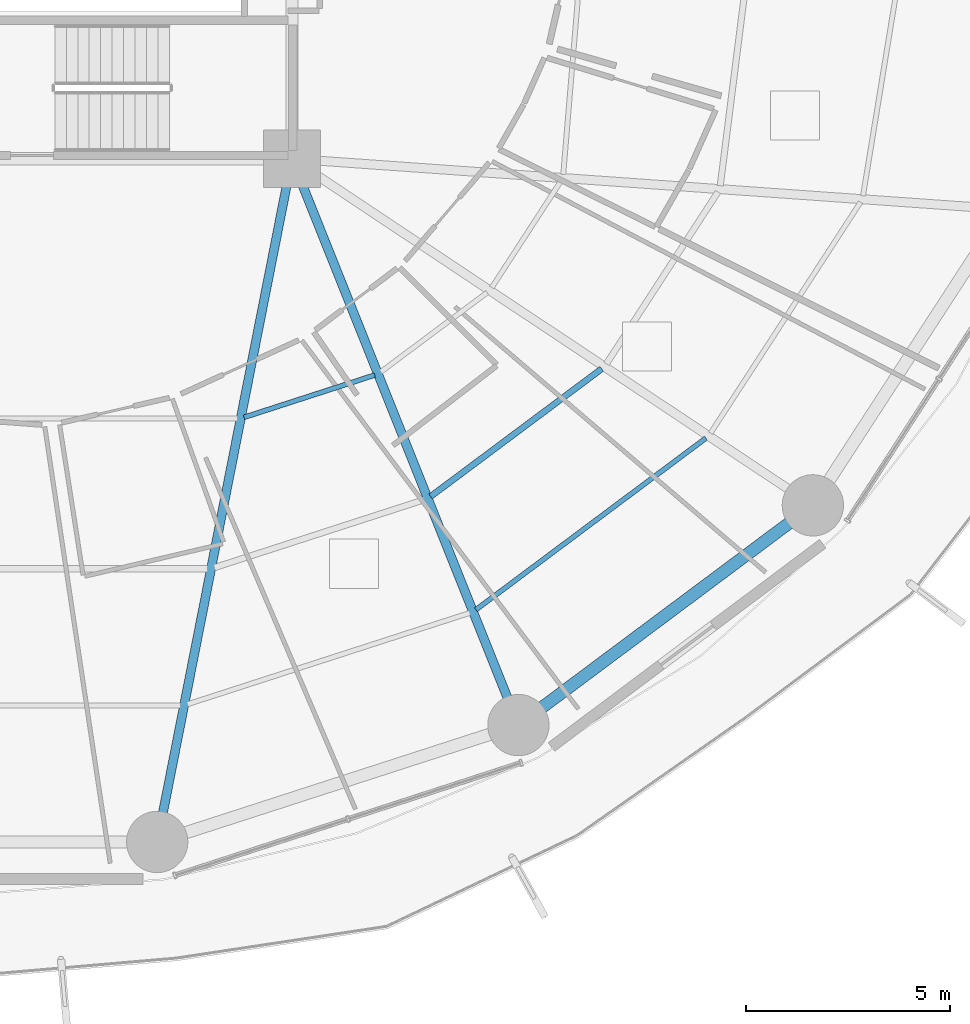
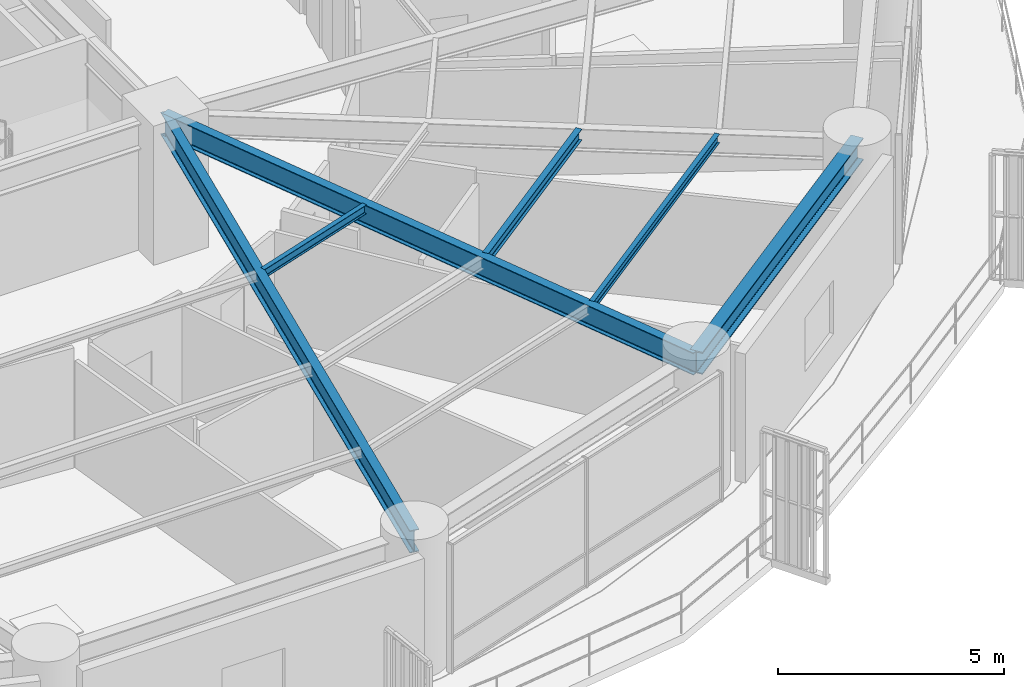
# One storey, part 9 of 31: 6 beams.
"""IFC4 building model written with IfcOpenShell, lengths in metres."""

from ifc_helpers import new_model, si_unit, direction, frame, origin, origin_2d, place, context, subcontext, project, spatial, i_section, extrude, material, material_profile, profile_set, type_object, element, save


model = new_model("IFC4")

# Units and contexts
model_context = context("Model", 3, precision=1e-05, world=origin(), true_north=direction((0.0, 1.0)))
body_context = subcontext(model_context, "Body", "Model", "MODEL_VIEW")
ifc_project = project(units=[si_unit("LENGTHUNIT", "METRE"), si_unit("AREAUNIT", "SQUARE_METRE"), si_unit("VOLUMEUNIT", "CUBIC_METRE"), si_unit("PLANEANGLEUNIT", "RADIAN"), si_unit("MASSUNIT", "GRAM", prefix="KILO")], contexts=[model_context])

# Site, building, storey
site_placement = place(None, origin())
site = spatial("IfcSite", under=ifc_project, at=site_placement, CompositionType="ELEMENT")
building_placement = place(site_placement, origin())
building = spatial("IfcBuilding", under=site, at=building_placement, Name="Kelanora Arch Commons", CompositionType="ELEMENT")
storey_placement = place(building_placement, frame((0.0, 0.0, 63.75)))
storey = spatial("IfcBuildingStorey", under=building, at=storey_placement, Name="L16", CompositionType="ELEMENT", Elevation=63.75)

# Beams
ifc_material = material(Name="Steel S355", Category="steel")
ifc_material_profile_1 = material_profile(ifc_material, i_section(OverallWidth=0.14990234375, OverallDepth=0.300048828125, WebThickness=0.007080078125, FlangeThickness=0.0107421875, FilletRadius=0.014892578125, at=origin_2d()), Name="IPE300")
ifc_profile_set_1 = profile_set([ifc_material_profile_1], Name="Steel S355")
beam_type_1 = type_object("IfcBeamType", Name="BM-JST-01", PredefinedType="JOIST", material=ifc_profile_set_1)
beam_1_placement = place(storey_placement, frame((85.39208984375, 42.738525390625, 3.340087890625), z_axis=(0.801478251559, 0.598023922831, 0.0), x_axis=(-0.598023922831, 0.801478251559, 0.0)))
element("IfcBeam", 1, at=beam_1_placement, inside=storey, type_object=beam_type_1, Name="Secondary Chord Joist BJB-30 L16", PredefinedType="JOIST", context=body_context, shape_type="SweptSolid", body=[
    extrude(i_section(OverallWidth=0.14990234375, OverallDepth=0.300048828125, WebThickness=0.007080078125, FlangeThickness=0.0107421875, FilletRadius=0.014892578125, at=origin_2d()), origin(), (0.0, 0.0, 1.0), 5.223388671875),
])
ifc_material_profile_2 = material_profile(ifc_material, i_section(OverallWidth=0.1201171875, OverallDepth=0.239990234375, WebThickness=0.006103515625, FlangeThickness=0.009765625, FilletRadius=0.014892578125, at=origin_2d()), Name="IPE240")
ifc_profile_set_2 = profile_set([ifc_material_profile_2], Name="Steel S355")
beam_type_2 = type_object("IfcBeamType", Name="BM-JST-02", PredefinedType="JOIST", material=ifc_profile_set_2)
beam_2_placement = place(storey_placement, frame((80.827880859375, 44.6748046875, 3.3701171875), z_axis=(0.951422608074, 0.30788800049, 0.0), x_axis=(-0.30788800049, 0.951422608074, 0.0)))
element("IfcBeam", 2, at=beam_2_placement, inside=storey, type_object=beam_type_2, Name="Secondary Chord Joist BJA-28 L16", PredefinedType="JOIST", context=body_context, shape_type="SweptSolid", body=[
    extrude(i_section(OverallWidth=0.1201171875, OverallDepth=0.239990234375, WebThickness=0.006103515625, FlangeThickness=0.009765625, FilletRadius=0.014892578125, at=origin_2d()), origin(), (0.0, 0.0, 1.0), 3.359619140625),
])
beam_3_placement = place(storey_placement, frame((86.5, 39.9677734375, 3.3701171875), z_axis=(0.80149131963, 0.598006408459, 0.0), x_axis=(-0.598006408459, 0.80149131963, 0.0)))
element("IfcBeam", 3, at=beam_3_placement, inside=storey, type_object=beam_type_2, Name="Secondary Chord Joist BJC-30 L16", PredefinedType="JOIST", context=body_context, shape_type="SweptSolid", body=[
    extrude(i_section(OverallWidth=0.1201171875, OverallDepth=0.239990234375, WebThickness=0.006103515625, FlangeThickness=0.009765625, FilletRadius=0.014892578125, at=origin_2d()), origin(), (0.0, 0.0, 1.0), 7.021240234375),
])
ifc_material_profile_3 = material_profile(ifc_material, i_section(OverallWidth=0.219970703125, OverallDepth=0.60009765625, WebThickness=0.011962890625, FlangeThickness=0.01904296875, FilletRadius=0.02392578125, at=origin_2d()), Name="IPE600")
ifc_profile_set_3 = profile_set([ifc_material_profile_3], Name="Steel S355")
beam_type_3 = type_object("IfcBeamType", Name="BM-RAD-Z1", PredefinedType="BEAM", material=ifc_profile_set_3)
beam_4_placement = place(storey_placement, frame((82.0, 51.0, 3.18994140625), z_axis=(-0.19356352044, -0.981087745084, 0.0), x_axis=(0.981087745084, -0.19356352044, 0.0)))
element("IfcBeam", 4, at=beam_4_placement, inside=storey, type_object=beam_type_3, Name="Radial Floor Girder BR-28 L16", PredefinedType="BEAM", context=body_context, shape_type="SweptSolid", body=[
    extrude(i_section(OverallWidth=0.219970703125, OverallDepth=0.60009765625, WebThickness=0.011962890625, FlangeThickness=0.01904296875, FilletRadius=0.02392578125, at=origin_2d()), origin(), (0.0, 0.0, 1.0), 17.036376953125),
])
beam_5_placement = place(storey_placement, frame((82.0, 51.0, 3.18994140625), z_axis=(0.371300398117, -0.928512797089, 0.0), x_axis=(0.928512797089, 0.371300398117, 0.0)))
element("IfcBeam", 5, at=beam_5_placement, inside=storey, type_object=beam_type_3, Name="Radial Floor Girder BR-30 L16", PredefinedType="BEAM", context=body_context, shape_type="SweptSolid", body=[
    extrude(i_section(OverallWidth=0.219970703125, OverallDepth=0.60009765625, WebThickness=0.011962890625, FlangeThickness=0.01904296875, FilletRadius=0.02392578125, at=origin_2d()), origin(), (0.0, 0.0, 1.0), 14.920654296875),
])
ifc_material_profile_4 = material_profile(ifc_material, i_section(OverallWidth=0.300048828125, OverallDepth=0.60009765625, WebThickness=0.015380859375, FlangeThickness=0.030029296875, FilletRadius=0.027099609375, at=origin_2d()), Name="HEB600")
ifc_profile_set_4 = profile_set([ifc_material_profile_4], Name="Steel S355")
beam_type_4 = type_object("IfcBeamType", Name="BM-SPN-Z1", PredefinedType="SPANDREL", material=ifc_profile_set_4)
beam_6_placement = place(storey_placement, frame((87.5400390625, 37.14599609375, 3.18994140625), z_axis=(0.801467504127, 0.598038326388, 0.0), x_axis=(-0.598038326388, 0.801467504127, 0.0)))
element("IfcBeam", 6, at=beam_6_placement, inside=storey, type_object=beam_type_4, Name="Perimeter Spandrel Beam BS-30 L16", PredefinedType="SPANDREL", context=body_context, shape_type="SweptSolid", body=[
    extrude(i_section(OverallWidth=0.300048828125, OverallDepth=0.60009765625, WebThickness=0.015380859375, FlangeThickness=0.030029296875, FilletRadius=0.027099609375, at=origin_2d()), origin(), (0.0, 0.0, 1.0), 8.989013671875),
])

save(model, "model.ifc")
